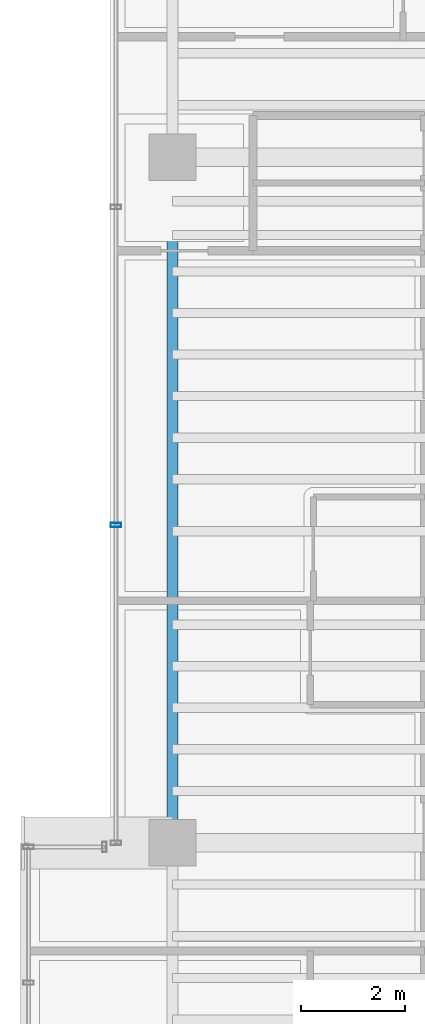
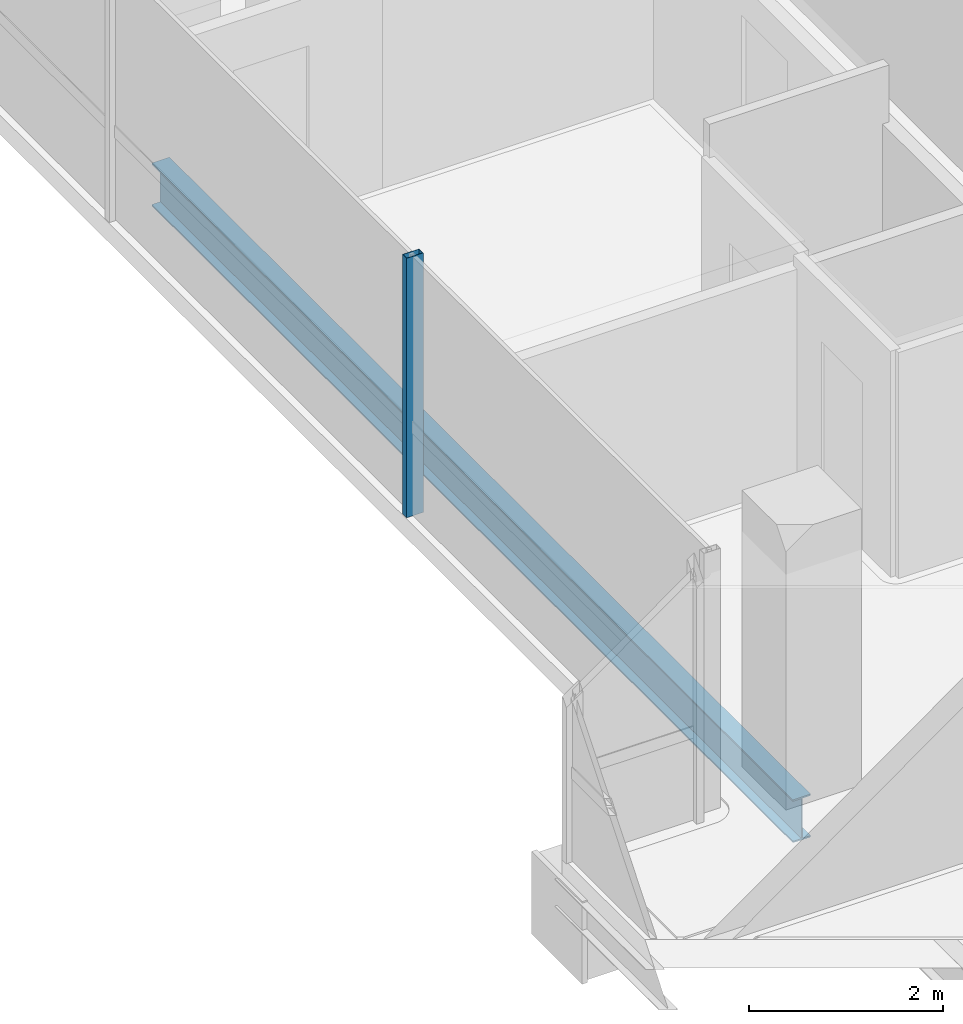
# One storey, part 7 of 24: 1 beam, 1 member, 1 element without a shape of its own.
"""IFC4 building model written with IfcOpenShell, lengths in metres."""

import ifcopenshell
import ifcopenshell.guid

model = None  # the IFC model being written
_history = None  # IfcOwnerHistory: only IFC2X3 demands one
_inside = {}  # id of a spatial element -> (the spatial element, [elements in it])
_under = {}  # id of a project, library or spatial element -> (it, [spatial elements below it])
_declared = {}  # id of a project -> (the project, [libraries it declares])
_typed = {}  # id of a type object -> (the type object, [elements of that type])
_made_of = {}  # id of a material, layer set ... -> (it, [elements and type objects made of it])


def new_model(schema):
    """Start an empty IFC model of exactly this schema.

    Asked for "IFC4X3", IfcOpenShell would pick the latest addendum, in which some entities
    have other attributes; the version numbers below select the first issue.
    IFC2X3 requires an IfcOwnerHistory on every rooted entity: one is made here for all.
    """
    global model, _history
    if schema == "IFC4X3":
        model = ifcopenshell.file(schema_version=(4, 3, 0, 0))
    else:
        model = ifcopenshell.file(schema=schema)
    _inside.clear()
    _under.clear()
    _declared.clear()
    _typed.clear()
    _made_of.clear()
    _history = None
    if model.schema == "IFC2X3":
        org = make("IfcOrganization", Name="unknown")
        user = make(
            "IfcPersonAndOrganization",
            ThePerson=make("IfcPerson", FamilyName="unknown"),
            TheOrganization=org,
        )
        app = make(
            "IfcApplication",
            ApplicationDeveloper=org,
            Version="unknown",
            ApplicationFullName="unknown",
            ApplicationIdentifier="unknown",
        )
        _history = make(
            "IfcOwnerHistory",
            OwningUser=user,
            OwningApplication=app,
            ChangeAction="ADDED",
            CreationDate=0,
        )
    return model


def make(cls, **values):
    """One entity of the class cls with the attributes given. An attribute that is None is left unset."""
    return model.create_entity(
        cls, **{name: value for name, value in values.items() if value is not None}
    )


def rooted(cls, **values):
    """An entity with a GlobalId (a new one), such as an element, a storey or a relation."""
    return make(cls, GlobalId=ifcopenshell.guid.new(), OwnerHistory=_history, **values)


def si_unit(unit_type, name, prefix=None):
    """IfcSIUnit, for example si_unit("LENGTHUNIT", "METRE", prefix="MILLI")."""
    return make("IfcSIUnit", UnitType=unit_type, Prefix=prefix, Name=name)


def assignment(units):
    """IfcUnitAssignment: the units of a project."""
    return None if units is None else make("IfcUnitAssignment", Units=units)


def point(xyz):
    """IfcCartesianPoint."""
    return None if xyz is None else make("IfcCartesianPoint", Coordinates=xyz)


def direction(xyz):
    """IfcDirection."""
    return None if xyz is None else make("IfcDirection", DirectionRatios=xyz)


def frame(location, z_axis=None, x_axis=None):
    """IfcAxis2Placement3D, a coordinate frame: its origin and axes. An axis left out is left unset."""
    return make(
        "IfcAxis2Placement3D",
        Location=point(location),
        Axis=direction(z_axis),
        RefDirection=direction(x_axis),
    )


def frame_2d(location, x_axis=None):
    """IfcAxis2Placement2D, a coordinate frame in the plane: its origin and x axis."""
    return make(
        "IfcAxis2Placement2D", Location=point(location), RefDirection=direction(x_axis)
    )


def origin():
    """The frame at (0, 0, 0) with its axes left unset."""
    return frame((0.0, 0.0, 0.0))


def origin_2d():
    """The frame at (0, 0) in the plane with its x axis left unset."""
    return frame_2d((0.0, 0.0))


def place(relative_to, where):
    """IfcLocalPlacement: puts the frame where relative to a parent placement (None: the world)."""
    return make(
        "IfcLocalPlacement", PlacementRelTo=relative_to, RelativePlacement=where
    )


def context(
    kind, dimensions, precision=None, world=None, true_north=None, identifier=None
):
    """IfcGeometricRepresentationContext, for example the 3D "Model" context."""
    return make(
        "IfcGeometricRepresentationContext",
        ContextIdentifier=identifier,
        ContextType=kind,
        CoordinateSpaceDimension=dimensions,
        Precision=precision,
        WorldCoordinateSystem=world,
        TrueNorth=true_north,
    )


def subcontext(parent, identifier, kind, view, scale=None):
    """IfcGeometricRepresentationSubContext, for example "Body" below "Model"."""
    return make(
        "IfcGeometricRepresentationSubContext",
        ContextIdentifier=identifier,
        ContextType=kind,
        ParentContext=parent,
        TargetScale=scale,
        TargetView=view,
    )


def project(units=None, contexts=None):
    """IfcProject with its units and contexts."""
    return rooted(
        "IfcProject",
        Name="project",
        RepresentationContexts=contexts,
        UnitsInContext=assignment(units),
    )


def spatial(cls, under=None, at=None, **own):
    """A site, building, storey or space (cls), placed at a placement, below another one or the project."""
    s = rooted(cls, ObjectPlacement=at, **own)
    if under is not None:
        _under.setdefault(under.id(), (under, []))[1].append(s)
    return s


def profile(cls, at=None, kind="AREA", **sizes):
    """A parametric profile (cls). Its sizes go by their IFC names, for example OverallWidth=200.0."""
    return make(cls, ProfileType=kind, Position=at, **sizes)


def hollow_rectangle(**sizes):
    """IfcRectangleHollowProfileDef."""
    return profile("IfcRectangleHollowProfileDef", **sizes)


def i_section(**sizes):
    """IfcIShapeProfileDef."""
    return profile("IfcIShapeProfileDef", **sizes)


def extrude(swept, where, along, depth):
    """IfcExtrudedAreaSolid: the profile swept, set in the frame where, extruded along a direction by depth."""
    return make(
        "IfcExtrudedAreaSolid",
        SweptArea=swept,
        Position=where,
        ExtrudedDirection=direction(along),
        Depth=depth,
    )


def shape(context_of_items, identifier, shape_type, items):
    """IfcShapeRepresentation: the items that make up one representation, for example the "Body"."""
    return make(
        "IfcShapeRepresentation",
        ContextOfItems=context_of_items,
        RepresentationIdentifier=identifier,
        RepresentationType=shape_type,
        Items=items,
    )


def source(mapping_origin, context_of_items, identifier, shape_type, items):
    """IfcRepresentationMap: a shape defined once, which mapped items show again and again."""
    return make(
        "IfcRepresentationMap",
        MappingOrigin=mapping_origin,
        MappedRepresentation=shape(context_of_items, identifier, shape_type, items),
    )


def transform(
    local_origin,
    x_axis=None,
    y_axis=None,
    z_axis=None,
    scale=None,
    scale2=None,
    scale3=None,
    uniform=True,
):
    """IfcCartesianTransformationOperator3D, or its non-uniform kind. x_axis, y_axis, z_axis: its Axis1, 2, 3."""
    if uniform:
        return make(
            "IfcCartesianTransformationOperator3D",
            Axis1=direction(x_axis),
            Axis2=direction(y_axis),
            LocalOrigin=point(local_origin),
            Scale=scale,
            Axis3=direction(z_axis),
        )
    return make(
        "IfcCartesianTransformationOperator3DnonUniform",
        Axis1=direction(x_axis),
        Axis2=direction(y_axis),
        LocalOrigin=point(local_origin),
        Scale=scale,
        Axis3=direction(z_axis),
        Scale2=scale2,
        Scale3=scale3,
    )


def mapped(mapping_source, mapping_target):
    """IfcMappedItem: shows the shape of a source again, moved by a transform."""
    return make(
        "IfcMappedItem", MappingSource=mapping_source, MappingTarget=mapping_target
    )


def material(Name=None, Category=None):
    """IfcMaterial."""
    return make("IfcMaterial", Name=Name, Category=Category)


def material_profile(
    of_material, cross_section, Name=None, Category=None, Priority=None
):
    """IfcMaterialProfile: a cross section and its material."""
    return make(
        "IfcMaterialProfile",
        Name=Name,
        Material=of_material,
        Profile=cross_section,
        Priority=Priority,
        Category=Category,
    )


def profile_set(profiles, Name=None, composite=None):
    """IfcMaterialProfileSet."""
    return make(
        "IfcMaterialProfileSet",
        Name=Name,
        MaterialProfiles=profiles,
        CompositeProfile=composite,
    )


def made_of(thing, what):
    """Note that an element or type object is made of a material, layer set ...; save() writes the relation."""
    if what is not None:
        _made_of.setdefault(what.id(), (what, []))[1].append(thing)
    return thing


def type_object(cls, material=None, **own):
    """A type object (cls), such as IfcWallType, which elements share."""
    return made_of(rooted(cls, **own), material)


def element(
    cls,
    number,
    at=None,
    inside=None,
    cuts=None,
    type_object=None,
    material=None,
    context=None,
    identifier="Body",
    shape_type=None,
    held_by="IfcProductDefinitionShape",
    body=None,
    shapes=None,
    **own,
):
    """One element of the class cls, such as IfcWall. Its Tag is "e" and its number.

    at: its placement. inside: the storey or other place that contains it. cuts: it is an
    opening in that element (IfcRelVoidsElement). A single representation is given by context,
    identifier, shape_type and body (its items); several are given by shapes. held_by: the class
    of the entity that holds the representations. save() writes the other relations.
    """
    e = rooted(cls, Tag="e%d" % number, ObjectPlacement=at, **own)
    if body is not None:
        shapes = [shape(context, identifier, shape_type, body)]
    if shapes is not None:
        e.Representation = make(held_by, Representations=shapes)
    if inside is not None:
        _inside.setdefault(inside.id(), (inside, []))[1].append(e)
    if cuts is not None:
        rooted(
            "IfcRelVoidsElement", RelatingBuildingElement=cuts, RelatedOpeningElement=e
        )
    if type_object is not None:
        _typed.setdefault(type_object.id(), (type_object, []))[1].append(e)
    return made_of(e, material)


def aggregate(whole, parts):
    """IfcRelAggregates: a whole, such as a stair, and the parts it consists of."""
    return rooted("IfcRelAggregates", RelatingObject=whole, RelatedObjects=parts)


def save(model, path):
    """Write the relations noted so far, then the file.

    IfcRelAggregates (storeys below a building ...), IfcRelContainedInSpatialStructure (elements
    in a storey), IfcRelDefinesByType, IfcRelAssociatesMaterial and IfcRelDeclares: one each for
    every whole, place, type object, material and project.
    """
    for whole, parts in _under.values():
        aggregate(whole, parts)
    for where, things in _inside.values():
        rooted(
            "IfcRelContainedInSpatialStructure",
            RelatedElements=things,
            RelatingStructure=where,
        )
    for kind, things in _typed.values():
        rooted("IfcRelDefinesByType", RelatedObjects=things, RelatingType=kind)
    for what, things in _made_of.values():
        rooted("IfcRelAssociatesMaterial", RelatedObjects=things, RelatingMaterial=what)
    for by, libraries in _declared.values():
        rooted("IfcRelDeclares", RelatingContext=by, RelatedDefinitions=libraries)
    model.write(path)


model = new_model("IFC4")

# Units and contexts
model_context = context("Model", 3, precision=1e-05, world=origin(), true_north=direction((0.0, 1.0)))
body_context = subcontext(model_context, "Body", "Model", "MODEL_VIEW")
ifc_project = project(units=[si_unit("LENGTHUNIT", "METRE"), si_unit("AREAUNIT", "SQUARE_METRE"), si_unit("VOLUMEUNIT", "CUBIC_METRE"), si_unit("PLANEANGLEUNIT", "RADIAN"), si_unit("MASSUNIT", "GRAM", prefix="KILO")], contexts=[model_context])

# Site, building, storey
site_placement = place(None, origin())
site = spatial("IfcSite", under=ifc_project, at=site_placement, CompositionType="ELEMENT")
building_placement = place(site_placement, origin())
building = spatial("IfcBuilding", under=site, at=building_placement, Name="Valdorenza Pilgrim Sanctuary Tower", CompositionType="ELEMENT")
storey_placement = place(building_placement, frame((0.0, 0.0, 230.0)))
storey = spatial("IfcBuildingStorey", under=building, at=storey_placement, Name="L59", CompositionType="ELEMENT", Elevation=230.0)

# Beam
ifc_material_1 = material(Name="Steel ASTM A992 Grade 50", Category="steel")
ifc_material_profile_1 = material_profile(ifc_material_1, i_section(OverallWidth=0.2109375, OverallDepth=0.5390625, WebThickness=0.01171875, FlangeThickness=0.018798828125, at=origin_2d()), Name="W21X73")
ifc_profile_set_1 = profile_set([ifc_material_profile_1], Name="Steel ASTM A992 Grade 50")
beam_type = type_object("IfcBeamType", Name="STR-BM-SPN-W21B", PredefinedType="SPANDREL", material=ifc_profile_set_1)
shared_shape_1 = source(origin(), body_context, "Body", "SweptSolid", [
    extrude(i_section(OverallWidth=0.2109375, OverallDepth=0.5390625, WebThickness=0.01171875, FlangeThickness=0.018798828125, at=origin_2d()), origin(), (0.0, 0.0, 1.0), 13.2001953125),
])
beam_placement = place(storey_placement, frame((-29.800048828125, -2.60009765625, -0.509521484375), z_axis=(0.0, 1.0, 0.0), x_axis=(-1.0, 0.0, 0.0)))
element("IfcBeam", 1, at=beam_placement, inside=storey, type_object=beam_type, Name="L59 Spandrel Beam WA-W-M0N1", PredefinedType="SPANDREL", context=body_context, shape_type="MappedRepresentation", body=[
    mapped(shared_shape_1, transform((0.0, 0.0, 0.0), x_axis=(1.0, 0.0, 0.0), y_axis=(0.0, 1.0, 0.0), z_axis=(0.0, 0.0, 1.0), scale=1.0)),
])

# Curtain wall, member
ifc_material_2 = material(Name="Curtain-wall IGU glazing", Category="glass")
curtain_wall_type = type_object("IfcCurtainWallType", Name="CW-SYS-02", PredefinedType="NOTDEFINED", material=ifc_material_2)
curtain_wall_placement = place(storey_placement, origin())
curtain_wall = element("IfcCurtainWall", 2, at=curtain_wall_placement, inside=storey, type_object=curtain_wall_type, Name="L59 Curtain Wall CW-L59-1-1S2", PredefinedType="NOTDEFINED")
ifc_material_3 = material(Name="Anodised aluminium AW-6060", Category="aluminium")
ifc_material_profile_2 = material_profile(ifc_material_3, hollow_rectangle(XDim=0.0849609375, YDim=0.199951171875, WallThickness=0.0048828125, at=origin_2d()), Name="ALU-M 200x85x5")
ifc_profile_set_2 = profile_set([ifc_material_profile_2], Name="Anodised aluminium AW-6060")
member_type = type_object("IfcMemberType", Name="CW-MUL-02", PredefinedType="MULLION", material=ifc_profile_set_2)
shared_shape_2 = source(origin(), body_context, "Body", "SweptSolid", [
    extrude(hollow_rectangle(XDim=0.0849609375, YDim=0.199951171875, WallThickness=0.0048828125, at=origin_2d()), origin(), (0.0, 0.0, 1.0), 3.260009765625),
])
member_placement = place(storey_placement, frame((-30.889892578125, 3.519287109375, 0.0), z_axis=(0.0, 0.0, 1.0), x_axis=(0.0, 1.0, 0.0)))
member = element("IfcMember", 3, at=member_placement, type_object=member_type, Name="CW-L59-1-1S2 Mullion 2", PredefinedType="MULLION", context=body_context, shape_type="MappedRepresentation", body=[
    mapped(shared_shape_2, transform((0.0, 0.0, 0.0), x_axis=(1.0, 0.0, 0.0), y_axis=(0.0, 1.0, 0.0), z_axis=(0.0, 0.0, 1.0), scale=1.0)),
])
aggregate(curtain_wall, [member])

save(model, "model.ifc")
